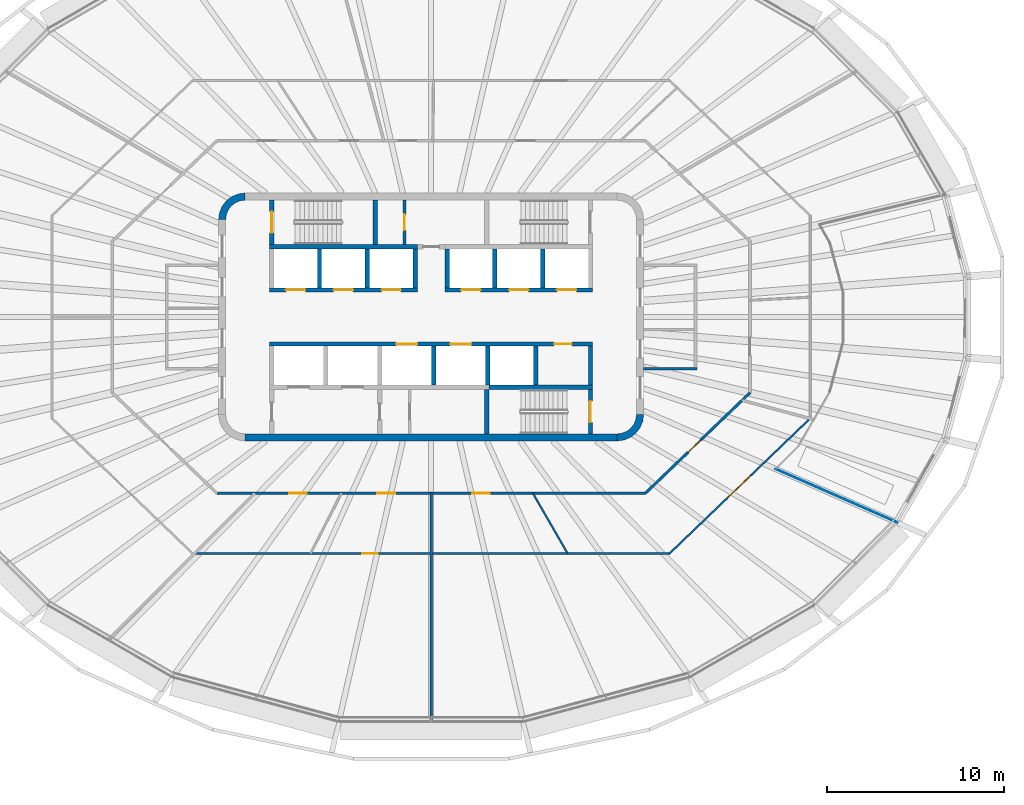
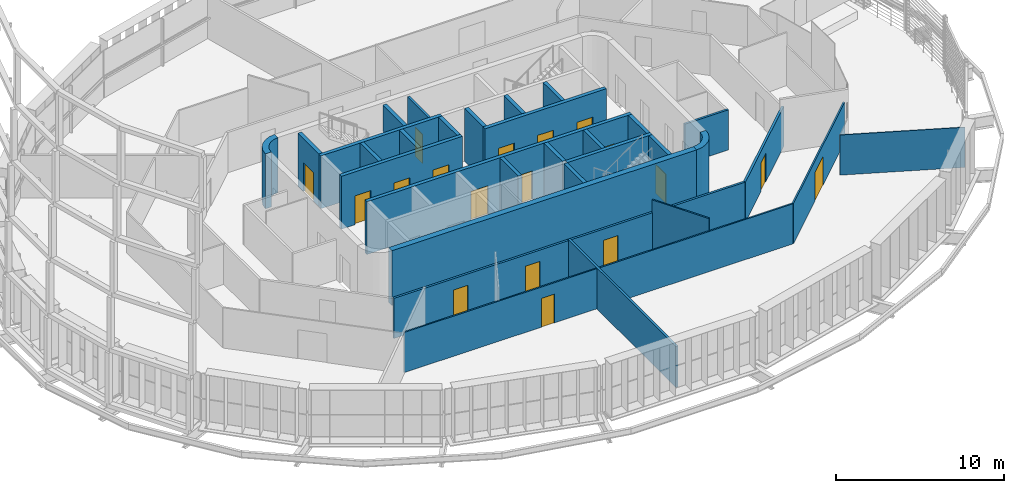
# One storey, part 10 of 21: 31 walls, 18 doors, 18 openings.
"""IFC4 building model written with IfcOpenShell, lengths in metres."""

from ifc_helpers import new_model, si_unit, direction, frame, frame_2d, origin, place, context, subcontext, project, spatial, polyline, rectangle, outline, extrude, material, layer, layer_set, type_object, element, fill, save


model = new_model("IFC4")

# Units and contexts
model_context = context("Model", 3, precision=1e-05, world=origin(), true_north=direction((0.0, 1.0)))
body_context = subcontext(model_context, "Body", "Model", "MODEL_VIEW")
ifc_project = project(units=[si_unit("LENGTHUNIT", "METRE"), si_unit("AREAUNIT", "SQUARE_METRE"), si_unit("VOLUMEUNIT", "CUBIC_METRE"), si_unit("PLANEANGLEUNIT", "RADIAN"), si_unit("MASSUNIT", "GRAM", prefix="KILO")], contexts=[model_context])

# Site, building, storey
site_placement = place(None, origin())
site = spatial("IfcSite", under=ifc_project, at=site_placement, CompositionType="ELEMENT")
building_placement = place(site_placement, origin())
building = spatial("IfcBuilding", under=site, at=building_placement, Name="Sahrelin Media Tower", CompositionType="ELEMENT")
storey_placement = place(building_placement, frame((0.0, 0.0, 259.0)))
storey = spatial("IfcBuildingStorey", under=building, at=storey_placement, Name="L56", CompositionType="ELEMENT", Elevation=259.0)

# Walls
ifc_material_1 = material(Name="Concrete C60/75", Category="concrete")
ifc_layer_1 = layer(ifc_material_1, 0.39990234375)
ifc_layer_set_1 = layer_set([ifc_layer_1], Name="Core wall 400")
wall_type_1 = type_object("IfcWallType", Name="Core wall 400", PredefinedType="SHEAR", material=ifc_layer_set_1)
wall_1_placement = place(storey_placement, frame((-10.5, -6.800048828125, 0.0), z_axis=(0.0, 0.0, 1.0), x_axis=(1.0, 0.0, 0.0)))
element("IfcWall", 1, at=wall_1_placement, inside=storey, type_object=wall_type_1, Name="Core wall S L56", PredefinedType="SHEAR", context=body_context, shape_type="SweptSolid", body=[
    extrude(rectangle(XDim=21.0, YDim=0.39990234375, at=frame_2d((10.5, 0.0))), origin(), (0.0, 0.0, 1.0), 4.0),
])
placement = place(storey_placement, origin())
element("IfcWall", 2, at=placement, inside=storey, type_object=wall_type_1, Name="Core wall corner NW L56", PredefinedType="SHEAR", context=body_context, shape_type="SweptSolid", body=[
    extrude(outline(polyline([(-12.0, 5.5), (-11.596435546875, 5.5), (-11.55908203125, 5.78369140625), (-11.44970703125, 6.04833984375), (-11.275390625, 6.275390625), (-11.04833984375, 6.44970703125), (-10.78369140625, 6.55908203125), (-10.5, 6.596435546875), (-10.5, 7.0), (-10.88818359375, 6.948974609375), (-11.25, 6.799072265625), (-11.560791015625, 6.560791015625), (-11.799072265625, 6.25), (-11.948974609375, 5.88818359375), (-12.0, 5.5)])), origin(), (0.0, 0.0, 1.0), 4.0),
])
element("IfcWall", 3, at=placement, inside=storey, type_object=wall_type_1, Name="Core wall corner SE L56", PredefinedType="SHEAR", context=body_context, shape_type="SweptSolid", body=[
    extrude(outline(polyline([(12.0, -5.5), (11.596435546875, -5.5), (11.55908203125, -5.78369140625), (11.44970703125, -6.04833984375), (11.275390625, -6.275390625), (11.04833984375, -6.44970703125), (10.78369140625, -6.55908203125), (10.5, -6.596435546875), (10.5, -7.0), (10.88818359375, -6.948974609375), (11.25, -6.799072265625), (11.560791015625, -6.560791015625), (11.799072265625, -6.25), (11.948974609375, -5.88818359375), (12.0, -5.5)])), origin(), (0.0, 0.0, 1.0), 4.0),
])

# Wall, opening, door
ifc_material_2 = material(Name="Fire-rated gypsum board partition")
ifc_layer_2 = layer(ifc_material_2, 0.14990234375)
ifc_layer_set_2 = layer_set([ifc_layer_2], Name="Fire-rated partition 150")
wall_type_2 = type_object("IfcWallType", Name="Fire-rated partition 150", PredefinedType="PARTITIONING", material=ifc_layer_set_2)
wall_4_placement = place(storey_placement, frame((-1.5, 4.10009765625, 0.0), z_axis=(0.0, 0.0, 1.0), x_axis=(0.0, 1.0, 0.0)))
wall_4 = element("IfcWall", 4, at=wall_4_placement, inside=storey, type_object=wall_type_2, Name="Core room fire partition", PredefinedType="PARTITIONING", context=body_context, shape_type="SweptSolid", body=[
    extrude(rectangle(XDim=2.5, YDim=0.14990234375, at=frame_2d((1.25, 0.0))), origin(), (0.0, 0.0, 1.0), 3.85009765625),
])
opening_1_placement = place(wall_4_placement, frame((0.800048828125, 0.0, 0.0)))
opening_1 = element("IfcOpeningElement", 5, at=opening_1_placement, cuts=wall_4, Name="Opening L56-D07", PredefinedType="OPENING", context=body_context, shape_type="SweptSolid", body=[
    extrude(rectangle(XDim=0.89990234375, YDim=2.10009765625, at=frame_2d((0.449951171875, 1.050048828125))), frame((0.0, 0.074951171875, 0.0), z_axis=(0.0, -1.0, 0.0), x_axis=(1.0, 0.0, 0.0)), (0.0, 0.0, 1.0), 0.14990234375),
])
ifc_material_3 = material(Name="Steel fire door leaf", Category="steel")
door_type_1 = type_object("IfcDoorType", Name="Fire door 900 x 2100 EI 60", OperationType="NOTDEFINED", PredefinedType="DOOR", material=ifc_material_3)
door_1_placement = place(opening_1_placement, origin())
door_1 = element("IfcDoor", 6, at=door_1_placement, inside=storey, type_object=door_type_1, Name="Core room door", OperationType="SINGLE_SWING_LEFT", OverallHeight=2.10009765625, OverallWidth=0.89990234375, PredefinedType="DOOR", context=body_context, shape_type="SweptSolid", body=[
    extrude(rectangle(XDim=0.89990234375, YDim=2.10009765625, at=frame_2d((0.449951171875, 1.050048828125))), frame((0.0, 0.02490234375, 0.0), z_axis=(0.0, -1.0, 0.0), x_axis=(1.0, 0.0, 0.0)), (0.0, 0.0, 1.0), 0.050048828125),
])
fill(opening_1, door_1)

# Wall
wall_5_placement = place(storey_placement, frame((12.0, -2.925048828125, 0.0), z_axis=(0.0, 0.0, 1.0), x_axis=(1.0, 0.0, 0.0)))
element("IfcWall", 7, at=wall_5_placement, inside=storey, type_object=wall_type_2, Name="Core room fire partition", PredefinedType="PARTITIONING", context=body_context, shape_type="SweptSolid", body=[
    extrude(rectangle(XDim=3.0, YDim=0.14990234375, at=frame_2d((1.5, 0.0))), origin(), (0.0, 0.0, 1.0), 2.918212890625),
])

# Wall, openings, doors
wall_6_placement = place(storey_placement, frame((-12.094970703125, -9.948974609375, 0.0), z_axis=(0.0, 0.0, 1.0), x_axis=(1.0, 0.0, 0.0)))
wall_6 = element("IfcWall", 8, at=wall_6_placement, inside=storey, type_object=wall_type_2, Name="Wall", PredefinedType="PARTITIONING", context=body_context, shape_type="SweptSolid", body=[
    extrude(rectangle(XDim=24.18994140625, YDim=0.14990234375, at=frame_2d((12.094970703125, 0.0))), origin(), (0.0, 0.0, 1.0), 2.927001953125),
])
opening_2_placement = place(wall_6_placement, frame((4.0859375, 0.0, 0.0)))
opening_2 = element("IfcOpeningElement", 9, at=opening_2_placement, cuts=wall_6, Name="Opening L56-D28", PredefinedType="OPENING", context=body_context, shape_type="SweptSolid", body=[
    extrude(rectangle(XDim=1.0, YDim=2.10009765625, at=frame_2d((0.5, 1.050048828125))), frame((0.0, 0.074951171875, 0.0), z_axis=(0.0, -1.0, 0.0), x_axis=(1.0, 0.0, 0.0)), (0.0, 0.0, 1.0), 0.14990234375),
])
opening_3_placement = place(wall_6_placement, frame((9.060546875, 0.0, 0.0)))
opening_3 = element("IfcOpeningElement", 10, at=opening_3_placement, cuts=wall_6, Name="Opening L56-D29", PredefinedType="OPENING", context=body_context, shape_type="SweptSolid", body=[
    extrude(rectangle(XDim=1.0, YDim=2.10009765625, at=frame_2d((0.5, 1.050048828125))), frame((0.0, 0.074951171875, 0.0), z_axis=(0.0, -1.0, 0.0), x_axis=(1.0, 0.0, 0.0)), (0.0, 0.0, 1.0), 0.14990234375),
])
opening_4_placement = place(wall_6_placement, frame((14.41650390625, 0.0, 0.0)))
opening_4 = element("IfcOpeningElement", 11, at=opening_4_placement, cuts=wall_6, Name="Opening L56-D31", PredefinedType="OPENING", context=body_context, shape_type="SweptSolid", body=[
    extrude(rectangle(XDim=1.0, YDim=2.10009765625, at=frame_2d((0.5, 1.050048828125))), frame((0.0, 0.074951171875, 0.0), z_axis=(0.0, -1.0, 0.0), x_axis=(1.0, 0.0, 0.0)), (0.0, 0.0, 1.0), 0.14990234375),
])
door_type_2 = type_object("IfcDoorType", Name="Fire door 1000 x 2100 EI 60", OperationType="NOTDEFINED", PredefinedType="DOOR", material=ifc_material_3)
door_2_placement = place(opening_2_placement, origin())
door_2 = element("IfcDoor", 12, at=door_2_placement, inside=storey, type_object=door_type_2, Name="Fire door", OperationType="SINGLE_SWING_RIGHT", OverallHeight=2.10009765625, OverallWidth=1.0, PredefinedType="DOOR", context=body_context, shape_type="SweptSolid", body=[
    extrude(rectangle(XDim=1.0, YDim=2.10009765625, at=frame_2d((0.5, 1.050048828125))), frame((0.0, 0.02490234375, 0.0), z_axis=(0.0, -1.0, 0.0), x_axis=(1.0, 0.0, 0.0)), (0.0, 0.0, 1.0), 0.050048828125),
])
fill(opening_2, door_2)
door_3_placement = place(opening_3_placement, origin())
door_3 = element("IfcDoor", 13, at=door_3_placement, inside=storey, type_object=door_type_2, Name="Fire door", OperationType="SINGLE_SWING_RIGHT", OverallHeight=2.10009765625, OverallWidth=1.0, PredefinedType="DOOR", context=body_context, shape_type="SweptSolid", body=[
    extrude(rectangle(XDim=1.0, YDim=2.10009765625, at=frame_2d((0.5, 1.050048828125))), frame((0.0, 0.02490234375, 0.0), z_axis=(0.0, -1.0, 0.0), x_axis=(1.0, 0.0, 0.0)), (0.0, 0.0, 1.0), 0.050048828125),
])
fill(opening_3, door_3)
door_4_placement = place(opening_4_placement, origin())
door_4 = element("IfcDoor", 14, at=door_4_placement, inside=storey, type_object=door_type_2, Name="Fire door", OperationType="SINGLE_SWING_RIGHT", OverallHeight=2.10009765625, OverallWidth=1.0, PredefinedType="DOOR", context=body_context, shape_type="SweptSolid", body=[
    extrude(rectangle(XDim=1.0, YDim=2.10009765625, at=frame_2d((0.5, 1.050048828125))), frame((0.0, 0.02490234375, 0.0), z_axis=(0.0, -1.0, 0.0), x_axis=(1.0, 0.0, 0.0)), (0.0, 0.0, 1.0), 0.050048828125),
])
fill(opening_4, door_4)

# Wall, opening, door
wall_7_placement = place(storey_placement, frame((12.094970703125, -9.948974609375, 0.0), z_axis=(0.0, 0.0, 1.0), x_axis=(0.721348586031, 0.692572174889, 0.0)))
wall_7 = element("IfcWall", 15, at=wall_7_placement, inside=storey, type_object=wall_type_2, Name="Wall", PredefinedType="PARTITIONING", context=body_context, shape_type="SweptSolid", body=[
    extrude(rectangle(XDim=8.18701171875, YDim=0.14990234375, at=frame_2d((4.093505859375, 0.0))), origin(), (0.0, 0.0, 1.0), 2.918212890625),
])
opening_5_placement = place(wall_7_placement, frame((3.333740234375, 0.0, 0.0)))
opening_5 = element("IfcOpeningElement", 16, at=opening_5_placement, cuts=wall_7, Name="Opening L56-D32", PredefinedType="OPENING", context=body_context, shape_type="SweptSolid", body=[
    extrude(rectangle(XDim=1.0, YDim=2.10009765625, at=frame_2d((0.5, 1.050048828125))), frame((0.0, 0.074951171875, 0.0), z_axis=(0.0, -1.0, 0.0), x_axis=(1.0, 0.0, 0.0)), (0.0, 0.0, 1.0), 0.14990234375),
])
door_5_placement = place(opening_5_placement, origin())
door_5 = element("IfcDoor", 17, at=door_5_placement, inside=storey, type_object=door_type_2, Name="Fire door", OperationType="SINGLE_SWING_RIGHT", OverallHeight=2.10009765625, OverallWidth=1.0, PredefinedType="DOOR", context=body_context, shape_type="SweptSolid", body=[
    extrude(rectangle(XDim=1.0, YDim=2.10009765625, at=frame_2d((0.5, 1.050048828125))), frame((0.0, 0.02490234375, 0.0), z_axis=(0.0, -1.0, 0.0), x_axis=(1.0, 0.0, 0.0)), (0.0, 0.0, 1.0), 0.050048828125),
])
fill(opening_5, door_5)

# Walls
wall_8_placement = place(storey_placement, frame((0.0, -22.85693359375, 0.0), z_axis=(0.0, 0.0, 1.0), x_axis=(0.0, 1.0, 0.0)))
element("IfcWall", 18, at=wall_8_placement, inside=storey, type_object=wall_type_2, Name="Wall", PredefinedType="PARTITIONING", context=body_context, shape_type="SweptSolid", body=[
    extrude(rectangle(XDim=12.907958984375, YDim=0.14990234375, at=frame_2d((6.4541015625, 0.0))), origin(), (0.0, 0.0, 1.0), 2.9951171875),
])
ifc_material_4 = material(Name="Clear glass", Category="glass")
ifc_layer_3 = layer(ifc_material_4, 0.050048828125)
ifc_layer_set_3 = layer_set([ifc_layer_3], Name="Glazed partition 50")
wall_type_3 = type_object("IfcWallType", Name="Glazed partition 50", PredefinedType="PARTITIONING", material=ifc_layer_set_3)
wall_9_placement = place(storey_placement, frame((19.452880859375, -8.5830078125, 0.0), z_axis=(0.0, 0.0, 1.0), x_axis=(0.914941111659, -0.40358736625, 0.0)))
element("IfcWall", 19, at=wall_9_placement, inside=storey, type_object=wall_type_3, Name="Wall", PredefinedType="PARTITIONING", context=body_context, shape_type="SweptSolid", body=[
    extrude(rectangle(XDim=7.5078125, YDim=0.050048828125, at=frame_2d((3.75390625, 0.0))), origin(), (0.0, 0.0, 1.0), 2.927001953125),
])

# Wall, openings, doors
ifc_layer_4 = layer(ifc_material_1, 0.25)
ifc_layer_set_4 = layer_set([ifc_layer_4], Name="Lift shaft wall 250")
wall_type_4 = type_object("IfcWallType", Name="Lift shaft wall 250", PredefinedType="SOLIDWALL", material=ifc_layer_set_4)
wall_10_placement = place(storey_placement, frame((-9.125, 1.52490234375, 0.0), z_axis=(0.0, 0.0, 1.0), x_axis=(1.0, 0.0, 0.0)))
wall_10 = element("IfcWall", 20, at=wall_10_placement, inside=storey, type_object=wall_type_4, Name="Lift shaft wall", PredefinedType="SOLIDWALL", context=body_context, shape_type="SweptSolid", body=[
    extrude(rectangle(XDim=8.35009765625, YDim=0.25, at=frame_2d((4.175048828125, 0.0))), origin(), (0.0, 0.0, 1.0), 3.85009765625),
])
opening_6_placement = place(wall_10_placement, frame((0.925048828125, 0.0, 0.0)))
opening_6 = element("IfcOpeningElement", 21, at=opening_6_placement, cuts=wall_10, Name="Opening L56-LD-HR1", PredefinedType="OPENING", context=body_context, shape_type="SweptSolid", body=[
    extrude(rectangle(XDim=1.10009765625, YDim=2.10009765625, at=frame_2d((0.550048828125, 1.050048828125))), frame((0.0, 0.125, 0.0), z_axis=(0.0, -1.0, 0.0), x_axis=(1.0, 0.0, 0.0)), (0.0, 0.0, 1.0), 0.25),
])
opening_7_placement = place(wall_10_placement, frame((3.625, 0.0, 0.0)))
opening_7 = element("IfcOpeningElement", 22, at=opening_7_placement, cuts=wall_10, Name="Opening L56-LD-HR2", PredefinedType="OPENING", context=body_context, shape_type="SweptSolid", body=[
    extrude(rectangle(XDim=1.10009765625, YDim=2.10009765625, at=frame_2d((0.550048828125, 1.050048828125))), frame((0.0, 0.125, 0.0), z_axis=(0.0, -1.0, 0.0), x_axis=(1.0, 0.0, 0.0)), (0.0, 0.0, 1.0), 0.25),
])
opening_8_placement = place(wall_10_placement, frame((6.324951171875, 0.0, 0.0)))
opening_8 = element("IfcOpeningElement", 23, at=opening_8_placement, cuts=wall_10, Name="Opening L56-LD-HR3", PredefinedType="OPENING", context=body_context, shape_type="SweptSolid", body=[
    extrude(rectangle(XDim=1.10009765625, YDim=2.10009765625, at=frame_2d((0.550048828125, 1.050048828125))), frame((0.0, 0.125, 0.0), z_axis=(0.0, -1.0, 0.0), x_axis=(1.0, 0.0, 0.0)), (0.0, 0.0, 1.0), 0.25),
])
ifc_material_5 = material(Name="Stainless steel", Category="steel")
door_type_3 = type_object("IfcDoorType", Name="Lift landing door 1100 x 2100 EI 120", OperationType="DOUBLE_DOOR_SLIDING", PredefinedType="DOOR", material=ifc_material_5)
door_6_placement = place(opening_6_placement, origin())
door_6 = element("IfcDoor", 24, at=door_6_placement, inside=storey, type_object=door_type_3, Name="Lift landing door HR1", OperationType="DOUBLE_DOOR_SLIDING", OverallHeight=2.10009765625, OverallWidth=1.10009765625, PredefinedType="DOOR", context=body_context, shape_type="SweptSolid", body=[
    extrude(rectangle(XDim=1.10009765625, YDim=2.10009765625, at=frame_2d((0.550048828125, 1.050048828125))), frame((0.0, 0.02490234375, 0.0), z_axis=(0.0, -1.0, 0.0), x_axis=(1.0, 0.0, 0.0)), (0.0, 0.0, 1.0), 0.050048828125),
])
fill(opening_6, door_6)
door_7_placement = place(opening_7_placement, origin())
door_7 = element("IfcDoor", 25, at=door_7_placement, inside=storey, type_object=door_type_3, Name="Lift landing door HR2", OperationType="DOUBLE_DOOR_SLIDING", OverallHeight=2.10009765625, OverallWidth=1.10009765625, PredefinedType="DOOR", context=body_context, shape_type="SweptSolid", body=[
    extrude(rectangle(XDim=1.10009765625, YDim=2.10009765625, at=frame_2d((0.550048828125, 1.050048828125))), frame((0.0, 0.02490234375, 0.0), z_axis=(0.0, -1.0, 0.0), x_axis=(1.0, 0.0, 0.0)), (0.0, 0.0, 1.0), 0.050048828125),
])
fill(opening_7, door_7)
door_8_placement = place(opening_8_placement, origin())
door_8 = element("IfcDoor", 26, at=door_8_placement, inside=storey, type_object=door_type_3, Name="Lift landing door HR3", OperationType="DOUBLE_DOOR_SLIDING", OverallHeight=2.10009765625, OverallWidth=1.10009765625, PredefinedType="DOOR", context=body_context, shape_type="SweptSolid", body=[
    extrude(rectangle(XDim=1.10009765625, YDim=2.10009765625, at=frame_2d((0.550048828125, 1.050048828125))), frame((0.0, 0.02490234375, 0.0), z_axis=(0.0, -1.0, 0.0), x_axis=(1.0, 0.0, 0.0)), (0.0, 0.0, 1.0), 0.050048828125),
])
fill(opening_8, door_8)

wall_11_placement = place(storey_placement, frame((0.77490234375, 1.52490234375, 0.0), z_axis=(0.0, 0.0, 1.0), x_axis=(1.0, 0.0, 0.0)))
wall_11 = element("IfcWall", 27, at=wall_11_placement, inside=storey, type_object=wall_type_4, Name="Lift shaft wall", PredefinedType="SOLIDWALL", context=body_context, shape_type="SweptSolid", body=[
    extrude(rectangle(XDim=8.35009765625, YDim=0.25, at=frame_2d((4.175048828125, 0.0))), origin(), (0.0, 0.0, 1.0), 3.85009765625),
])
opening_9_placement = place(wall_11_placement, frame((0.925048828125, 0.0, 0.0)))
opening_9 = element("IfcOpeningElement", 28, at=opening_9_placement, cuts=wall_11, Name="Opening L56-LD-HR4", PredefinedType="OPENING", context=body_context, shape_type="SweptSolid", body=[
    extrude(rectangle(XDim=1.10009765625, YDim=2.10009765625, at=frame_2d((0.550048828125, 1.050048828125))), frame((0.0, 0.125, 0.0), z_axis=(0.0, -1.0, 0.0), x_axis=(1.0, 0.0, 0.0)), (0.0, 0.0, 1.0), 0.25),
])
opening_10_placement = place(wall_11_placement, frame((3.625, 0.0, 0.0)))
opening_10 = element("IfcOpeningElement", 29, at=opening_10_placement, cuts=wall_11, Name="Opening L56-LD-HR5", PredefinedType="OPENING", context=body_context, shape_type="SweptSolid", body=[
    extrude(rectangle(XDim=1.10009765625, YDim=2.10009765625, at=frame_2d((0.550048828125, 1.050048828125))), frame((0.0, 0.125, 0.0), z_axis=(0.0, -1.0, 0.0), x_axis=(1.0, 0.0, 0.0)), (0.0, 0.0, 1.0), 0.25),
])
opening_11_placement = place(wall_11_placement, frame((6.324951171875, 0.0, 0.0)))
opening_11 = element("IfcOpeningElement", 30, at=opening_11_placement, cuts=wall_11, Name="Opening L56-LD-HR6", PredefinedType="OPENING", context=body_context, shape_type="SweptSolid", body=[
    extrude(rectangle(XDim=1.10009765625, YDim=2.10009765625, at=frame_2d((0.550048828125, 1.050048828125))), frame((0.0, 0.125, 0.0), z_axis=(0.0, -1.0, 0.0), x_axis=(1.0, 0.0, 0.0)), (0.0, 0.0, 1.0), 0.25),
])
door_9_placement = place(opening_9_placement, origin())
door_9 = element("IfcDoor", 31, at=door_9_placement, inside=storey, type_object=door_type_3, Name="Lift landing door HR4", OperationType="DOUBLE_DOOR_SLIDING", OverallHeight=2.10009765625, OverallWidth=1.10009765625, PredefinedType="DOOR", context=body_context, shape_type="SweptSolid", body=[
    extrude(rectangle(XDim=1.10009765625, YDim=2.10009765625, at=frame_2d((0.550048828125, 1.050048828125))), frame((0.0, 0.02490234375, 0.0), z_axis=(0.0, -1.0, 0.0), x_axis=(1.0, 0.0, 0.0)), (0.0, 0.0, 1.0), 0.050048828125),
])
fill(opening_9, door_9)
door_10_placement = place(opening_10_placement, origin())
door_10 = element("IfcDoor", 32, at=door_10_placement, inside=storey, type_object=door_type_3, Name="Lift landing door HR5", OperationType="DOUBLE_DOOR_SLIDING", OverallHeight=2.10009765625, OverallWidth=1.10009765625, PredefinedType="DOOR", context=body_context, shape_type="SweptSolid", body=[
    extrude(rectangle(XDim=1.10009765625, YDim=2.10009765625, at=frame_2d((0.550048828125, 1.050048828125))), frame((0.0, 0.02490234375, 0.0), z_axis=(0.0, -1.0, 0.0), x_axis=(1.0, 0.0, 0.0)), (0.0, 0.0, 1.0), 0.050048828125),
])
fill(opening_10, door_10)
door_11_placement = place(opening_11_placement, origin())
door_11 = element("IfcDoor", 33, at=door_11_placement, inside=storey, type_object=door_type_3, Name="Lift landing door HR6", OperationType="DOUBLE_DOOR_SLIDING", OverallHeight=2.10009765625, OverallWidth=1.10009765625, PredefinedType="DOOR", context=body_context, shape_type="SweptSolid", body=[
    extrude(rectangle(XDim=1.10009765625, YDim=2.10009765625, at=frame_2d((0.550048828125, 1.050048828125))), frame((0.0, 0.02490234375, 0.0), z_axis=(0.0, -1.0, 0.0), x_axis=(1.0, 0.0, 0.0)), (0.0, 0.0, 1.0), 0.050048828125),
])
fill(opening_11, door_11)

# Walls
wall_12_placement = place(storey_placement, frame((-9.125, 3.97509765625, 0.0), z_axis=(0.0, 0.0, 1.0), x_axis=(1.0, 0.0, 0.0)))
element("IfcWall", 34, at=wall_12_placement, inside=storey, type_object=wall_type_4, Name="Lift shaft wall", PredefinedType="SOLIDWALL", context=body_context, shape_type="SweptSolid", body=[
    extrude(rectangle(XDim=8.35009765625, YDim=0.25, at=frame_2d((4.175048828125, 0.0))), origin(), (0.0, 0.0, 1.0), 3.85009765625),
])
for number, where, z_axis, x_axis, name in (
    (35, (-6.300048828125, 1.64990234375, 0.0), (0.0, 0.0, 1.0), (0.0, 1.0, 0.0), "Lift shaft wall"),
    (36, (6.300048828125, 1.64990234375, 0.0), (0.0, 0.0, 1.0), (0.0, 1.0, 0.0), "Lift shaft wall"),
    (37, (-3.60009765625, 1.64990234375, 0.0), (0.0, 0.0, 1.0), (0.0, 1.0, 0.0), "Lift shaft wall"),
    (38, (3.60009765625, 1.64990234375, 0.0), (0.0, 0.0, 1.0), (0.0, 1.0, 0.0), "Lift shaft wall"),
    (39, (-0.89990234375, 1.64990234375, 0.0), (0.0, 0.0, 1.0), (0.0, 1.0, 0.0), "Lift shaft wall"),
    (40, (0.89990234375, 1.64990234375, 0.0), (0.0, 0.0, 1.0), (0.0, 1.0, 0.0), "Lift shaft wall"),
):
    element("IfcWall", number, at=place(storey_placement, frame(where, z_axis=z_axis, x_axis=x_axis)), inside=storey, type_object=wall_type_4, Name=name, PredefinedType="SOLIDWALL", context=body_context, shape_type="SweptSolid", body=[
        extrude(rectangle(XDim=2.2001953125, YDim=0.25, at=frame_2d((1.10009765625, 0.0))), origin(), (0.0, 0.0, 1.0), 3.85009765625),
    ])

# Wall, openings, doors
wall_13_placement = place(storey_placement, frame((-9.125, -1.52490234375, 0.0), z_axis=(0.0, 0.0, 1.0), x_axis=(1.0, 0.0, 0.0)))
wall_13 = element("IfcWall", 41, at=wall_13_placement, inside=storey, type_object=wall_type_4, Name="Lift shaft wall", PredefinedType="SOLIDWALL", context=body_context, shape_type="SweptSolid", body=[
    extrude(rectangle(XDim=18.25, YDim=0.25, at=frame_2d((9.125, 0.0))), origin(), (0.0, 0.0, 1.0), 3.85009765625),
])
opening_12_placement = place(wall_13_placement, frame((7.14990234375, 0.0, 0.0)))
opening_12 = element("IfcOpeningElement", 42, at=opening_12_placement, cuts=wall_13, Name="Opening L56-LD-SV1", PredefinedType="OPENING", context=body_context, shape_type="SweptSolid", body=[
    extrude(rectangle(XDim=1.199951171875, YDim=2.10009765625, at=frame_2d((0.60009765625, 1.050048828125))), frame((0.0, 0.125, 0.0), z_axis=(0.0, -1.0, 0.0), x_axis=(1.0, 0.0, 0.0)), (0.0, 0.0, 1.0), 0.25),
])
opening_13_placement = place(wall_13_placement, frame((10.199951171875, 0.0, 0.0)))
opening_13 = element("IfcOpeningElement", 43, at=opening_13_placement, cuts=wall_13, Name="Opening L56-LD-SV2", PredefinedType="OPENING", context=body_context, shape_type="SweptSolid", body=[
    extrude(rectangle(XDim=1.199951171875, YDim=2.10009765625, at=frame_2d((0.60009765625, 1.050048828125))), frame((0.0, 0.125, 0.0), z_axis=(0.0, -1.0, 0.0), x_axis=(1.0, 0.0, 0.0)), (0.0, 0.0, 1.0), 0.25),
])
opening_14_placement = place(wall_13_placement, frame((16.074951171875, 0.0, 0.0)))
opening_14 = element("IfcOpeningElement", 44, at=opening_14_placement, cuts=wall_13, Name="Opening L56-D09", PredefinedType="OPENING", context=body_context, shape_type="SweptSolid", body=[
    extrude(rectangle(XDim=1.0, YDim=2.10009765625, at=frame_2d((0.5, 1.050048828125))), frame((0.0, 0.125, 0.0), z_axis=(0.0, -1.0, 0.0), x_axis=(1.0, 0.0, 0.0)), (0.0, 0.0, 1.0), 0.25),
])
door_12_placement = place(opening_14_placement, origin())
door_12 = element("IfcDoor", 45, at=door_12_placement, inside=storey, type_object=door_type_2, Name="Core room door", OperationType="SINGLE_SWING_RIGHT", OverallHeight=2.10009765625, OverallWidth=1.0, PredefinedType="DOOR", context=body_context, shape_type="SweptSolid", body=[
    extrude(rectangle(XDim=1.0, YDim=2.10009765625, at=frame_2d((0.5, 1.050048828125))), frame((0.0, 0.02490234375, 0.0), z_axis=(0.0, -1.0, 0.0), x_axis=(1.0, 0.0, 0.0)), (0.0, 0.0, 1.0), 0.050048828125),
])
fill(opening_14, door_12)
door_type_4 = type_object("IfcDoorType", Name="Lift landing door 1200 x 2100 EI 120", OperationType="DOUBLE_DOOR_SLIDING", PredefinedType="DOOR", material=ifc_material_5)
door_13_placement = place(opening_12_placement, origin())
door_13 = element("IfcDoor", 46, at=door_13_placement, inside=storey, type_object=door_type_4, Name="Lift landing door SV1", OperationType="DOUBLE_DOOR_SLIDING", OverallHeight=2.10009765625, OverallWidth=1.199951171875, PredefinedType="DOOR", context=body_context, shape_type="SweptSolid", body=[
    extrude(rectangle(XDim=1.199951171875, YDim=2.10009765625, at=frame_2d((0.60009765625, 1.050048828125))), frame((0.0, 0.02490234375, 0.0), z_axis=(0.0, -1.0, 0.0), x_axis=(1.0, 0.0, 0.0)), (0.0, 0.0, 1.0), 0.050048828125),
])
fill(opening_12, door_13)
door_14_placement = place(opening_13_placement, origin())
door_14 = element("IfcDoor", 47, at=door_14_placement, inside=storey, type_object=door_type_4, Name="Lift landing door SV2", OperationType="DOUBLE_DOOR_SLIDING", OverallHeight=2.10009765625, OverallWidth=1.199951171875, PredefinedType="DOOR", context=body_context, shape_type="SweptSolid", body=[
    extrude(rectangle(XDim=1.199951171875, YDim=2.10009765625, at=frame_2d((0.60009765625, 1.050048828125))), frame((0.0, 0.02490234375, 0.0), z_axis=(0.0, -1.0, 0.0), x_axis=(1.0, 0.0, 0.0)), (0.0, 0.0, 1.0), 0.050048828125),
])
fill(opening_13, door_14)

# Walls
wall_14_placement = place(storey_placement, frame((3.27490234375, -3.97509765625, 0.0), z_axis=(0.0, 0.0, 1.0), x_axis=(1.0, 0.0, 0.0)))
element("IfcWall", 48, at=wall_14_placement, inside=storey, type_object=wall_type_4, Name="Lift shaft wall", PredefinedType="SOLIDWALL", context=body_context, shape_type="SweptSolid", body=[
    extrude(rectangle(XDim=5.85009765625, YDim=0.25, at=frame_2d((2.925048828125, 0.0))), origin(), (0.0, 0.0, 1.0), 3.85009765625),
])
for number, where, z_axis, x_axis, name in (
    (49, (0.14990234375, -3.85009765625, 0.0), (0.0, 0.0, 1.0), (0.0, 1.0, 0.0), "Lift shaft wall"),
    (50, (3.199951171875, -3.85009765625, 0.0), (0.0, 0.0, 1.0), (0.0, 1.0, 0.0), "Lift shaft wall"),
    (51, (5.89990234375, -3.85009765625, 0.0), (0.0, 0.0, 1.0), (0.0, 1.0, 0.0), "Lift shaft wall"),
    (52, (9.0, -3.85009765625, 0.0), (0.0, 0.0, 1.0), (0.0, 1.0, 0.0), "Lift shaft wall"),
):
    element("IfcWall", number, at=place(storey_placement, frame(where, z_axis=z_axis, x_axis=x_axis)), inside=storey, type_object=wall_type_4, Name=name, PredefinedType="SOLIDWALL", context=body_context, shape_type="SweptSolid", body=[
        extrude(rectangle(XDim=2.2001953125, YDim=0.25, at=frame_2d((1.10009765625, 0.0))), origin(), (0.0, 0.0, 1.0), 3.85009765625),
    ])
ifc_material_6 = material(Name="Gypsum board partition")
ifc_layer_5 = layer(ifc_material_6, 0.10009765625)
ifc_layer_set_5 = layer_set([ifc_layer_5], Name="Partition 100")
wall_type_5 = type_object("IfcWallType", Name="Partition 100", PredefinedType="PARTITIONING", material=ifc_layer_set_5)
wall_15_placement = place(storey_placement, frame((5.743896484375, -9.948974609375, 0.0), z_axis=(0.0, 0.0, 1.0), x_axis=(0.500011323479, -0.866018866072, 0.0)))
element("IfcWall", 53, at=wall_15_placement, inside=storey, type_object=wall_type_5, Name="Wall", PredefinedType="PARTITIONING", context=body_context, shape_type="SweptSolid", body=[
    extrude(rectangle(XDim=3.92626953125, YDim=0.10009765625, at=frame_2d((1.963134765625, 0.0))), origin(), (0.0, 0.0, 1.0), 3.85009765625),
])

# Wall, opening, door
wall_16_placement = place(storey_placement, frame((-13.34912109375, -13.34912109375, 0.0), z_axis=(0.0, 0.0, 1.0), x_axis=(1.0, 0.0, 0.0)))
wall_16 = element("IfcWall", 54, at=wall_16_placement, inside=storey, type_object=wall_type_5, Name="Wall", PredefinedType="PARTITIONING", context=body_context, shape_type="SweptSolid", body=[
    extrude(rectangle(XDim=26.81201171875, YDim=0.10009765625, at=frame_2d((13.406005859375, 0.0))), origin(), (0.0, 0.0, 1.0), 2.927001953125),
])
opening_15_placement = place(wall_16_placement, frame((9.447998046875, 0.0, 0.0)))
opening_15 = element("IfcOpeningElement", 55, at=opening_15_placement, cuts=wall_16, Name="Opening L56-D30", PredefinedType="OPENING", context=body_context, shape_type="SweptSolid", body=[
    extrude(rectangle(XDim=0.89990234375, YDim=2.10009765625, at=frame_2d((0.449951171875, 1.050048828125))), frame((0.0, 0.050048828125, 0.0), z_axis=(0.0, -1.0, 0.0), x_axis=(1.0, 0.0, 0.0)), (0.0, 0.0, 1.0), 0.10009765625),
])
ifc_material_7 = material(Name="Timber door leaf", Category="wood")
door_type_5 = type_object("IfcDoorType", Name="Single door 900 x 2100", OperationType="NOTDEFINED", PredefinedType="DOOR", material=ifc_material_7)
door_15_placement = place(opening_15_placement, origin())
door_15 = element("IfcDoor", 56, at=door_15_placement, inside=storey, type_object=door_type_5, Name="Single door", OperationType="SINGLE_SWING_LEFT", OverallHeight=2.10009765625, OverallWidth=0.89990234375, PredefinedType="DOOR", context=body_context, shape_type="SweptSolid", body=[
    extrude(rectangle(XDim=0.89990234375, YDim=2.10009765625, at=frame_2d((0.449951171875, 1.050048828125))), frame((0.0, 0.02490234375, 0.0), z_axis=(0.0, -1.0, 0.0), x_axis=(1.0, 0.0, 0.0)), (0.0, 0.0, 1.0), 0.050048828125),
])
fill(opening_15, door_15)

wall_17_placement = place(storey_placement, frame((13.462890625, -13.34912109375, 0.0), z_axis=(0.0, 0.0, 1.0), x_axis=(0.721271070112, 0.692652902556, 0.0)))
wall_17 = element("IfcWall", 57, at=wall_17_placement, inside=storey, type_object=wall_type_5, Name="Wall", PredefinedType="PARTITIONING", context=body_context, shape_type="SweptSolid", body=[
    extrude(rectangle(XDim=10.996337890625, YDim=0.10009765625, at=frame_2d((5.498046875, 0.0))), origin(), (0.0, 0.0, 1.0), 2.927001953125),
])
opening_16_placement = place(wall_17_placement, frame((4.546875, 0.0, 0.0)))
opening_16 = element("IfcOpeningElement", 58, at=opening_16_placement, cuts=wall_17, Name="Opening L56-D33", PredefinedType="OPENING", context=body_context, shape_type="SweptSolid", body=[
    extrude(rectangle(XDim=1.800048828125, YDim=2.10009765625, at=frame_2d((0.89990234375, 1.050048828125))), frame((0.0, 0.050048828125, 0.0), z_axis=(0.0, -1.0, 0.0), x_axis=(1.0, 0.0, 0.0)), (0.0, 0.0, 1.0), 0.10009765625),
])
door_type_6 = type_object("IfcDoorType", Name="Double door 1800 x 2100", OperationType="DOUBLE_DOOR_SINGLE_SWING", PredefinedType="DOOR", material=ifc_material_7)
door_16_placement = place(opening_16_placement, origin())
door_16 = element("IfcDoor", 59, at=door_16_placement, inside=storey, type_object=door_type_6, Name="Double door", OperationType="DOUBLE_DOOR_SINGLE_SWING", OverallHeight=2.10009765625, OverallWidth=1.800048828125, PredefinedType="DOOR", context=body_context, shape_type="SweptSolid", body=[
    extrude(rectangle(XDim=1.800048828125, YDim=2.10009765625, at=frame_2d((0.89990234375, 1.050048828125))), frame((0.0, 0.02490234375, 0.0), z_axis=(0.0, -1.0, 0.0), x_axis=(1.0, 0.0, 0.0)), (0.0, 0.0, 1.0), 0.050048828125),
])
fill(opening_16, door_16)

ifc_layer_6 = layer(ifc_material_1, 0.25)
ifc_layer_set_6 = layer_set([ifc_layer_6], Name="Stair enclosure wall 250")
wall_type_6 = type_object("IfcWallType", Name="Stair enclosure wall 250", PredefinedType="SOLIDWALL", material=ifc_layer_set_6)
wall_18_placement = place(storey_placement, frame((-9.0, 4.10009765625, 0.0), z_axis=(0.0, 0.0, 1.0), x_axis=(0.0, 1.0, 0.0)))
wall_18 = element("IfcWall", 60, at=wall_18_placement, inside=storey, type_object=wall_type_6, Name="Stair enclosure wall", PredefinedType="SOLIDWALL", context=body_context, shape_type="SweptSolid", body=[
    extrude(rectangle(XDim=2.5, YDim=0.25, at=frame_2d((1.25, 0.0))), origin(), (0.0, 0.0, 1.0), 3.85009765625),
])
opening_17_placement = place(wall_18_placement, frame((0.64990234375, 0.0, 0.0)))
opening_17 = element("IfcOpeningElement", 61, at=opening_17_placement, cuts=wall_18, Name="Opening L56-D01", PredefinedType="OPENING", context=body_context, shape_type="SweptSolid", body=[
    extrude(rectangle(XDim=1.199951171875, YDim=2.10009765625, at=frame_2d((0.60009765625, 1.050048828125))), frame((0.0, 0.125, 0.0), z_axis=(0.0, -1.0, 0.0), x_axis=(1.0, 0.0, 0.0)), (0.0, 0.0, 1.0), 0.25),
])
door_type_7 = type_object("IfcDoorType", Name="Stair door 1200 x 2100 EI 120", OperationType="NOTDEFINED", PredefinedType="DOOR", material=ifc_material_3)
door_17_placement = place(opening_17_placement, origin())
door_17 = element("IfcDoor", 62, at=door_17_placement, inside=storey, type_object=door_type_7, Name="Stair door ST1", OperationType="SINGLE_SWING_RIGHT", OverallHeight=2.10009765625, OverallWidth=1.199951171875, PredefinedType="DOOR", context=body_context, shape_type="SweptSolid", body=[
    extrude(rectangle(XDim=1.199951171875, YDim=2.10009765625, at=frame_2d((0.60009765625, 1.050048828125))), frame((0.0, 0.02490234375, 0.0), z_axis=(0.0, -1.0, 0.0), x_axis=(1.0, 0.0, 0.0)), (0.0, 0.0, 1.0), 0.050048828125),
])
fill(opening_17, door_17)

wall_19_placement = place(storey_placement, frame((9.0, -6.60009765625, 0.0), z_axis=(0.0, 0.0, 1.0), x_axis=(0.0, 1.0, 0.0)))
wall_19 = element("IfcWall", 63, at=wall_19_placement, inside=storey, type_object=wall_type_6, Name="Stair enclosure wall", PredefinedType="SOLIDWALL", context=body_context, shape_type="SweptSolid", body=[
    extrude(rectangle(XDim=2.5, YDim=0.25, at=frame_2d((1.25, 0.0))), origin(), (0.0, 0.0, 1.0), 3.85009765625),
])
opening_18_placement = place(wall_19_placement, frame((0.64990234375, 0.0, 0.0)))
opening_18 = element("IfcOpeningElement", 64, at=opening_18_placement, cuts=wall_19, Name="Opening L56-D03", PredefinedType="OPENING", context=body_context, shape_type="SweptSolid", body=[
    extrude(rectangle(XDim=1.199951171875, YDim=2.10009765625, at=frame_2d((0.60009765625, 1.050048828125))), frame((0.0, 0.125, 0.0), z_axis=(0.0, -1.0, 0.0), x_axis=(1.0, 0.0, 0.0)), (0.0, 0.0, 1.0), 0.25),
])
door_18_placement = place(opening_18_placement, origin())
door_18 = element("IfcDoor", 65, at=door_18_placement, inside=storey, type_object=door_type_7, Name="Stair door ST2", OperationType="SINGLE_SWING_LEFT", OverallHeight=2.10009765625, OverallWidth=1.199951171875, PredefinedType="DOOR", context=body_context, shape_type="SweptSolid", body=[
    extrude(rectangle(XDim=1.199951171875, YDim=2.10009765625, at=frame_2d((0.60009765625, 1.050048828125))), frame((0.0, 0.02490234375, 0.0), z_axis=(0.0, -1.0, 0.0), x_axis=(1.0, 0.0, 0.0)), (0.0, 0.0, 1.0), 0.050048828125),
])
fill(opening_18, door_18)

# Walls
for number, where, z_axis, x_axis, name in (
    (66, (-3.14990234375, 4.10009765625, 0.0), (0.0, 0.0, 1.0), (0.0, 1.0, 0.0), "Stair enclosure wall"),
    (67, (3.14990234375, -6.60009765625, 0.0), (0.0, 0.0, 1.0), (0.0, 1.0, 0.0), "Stair enclosure wall"),
):
    element("IfcWall", number, at=place(storey_placement, frame(where, z_axis=z_axis, x_axis=x_axis)), inside=storey, type_object=wall_type_6, Name=name, PredefinedType="SOLIDWALL", context=body_context, shape_type="SweptSolid", body=[
        extrude(rectangle(XDim=2.5, YDim=0.25, at=frame_2d((1.25, 0.0))), origin(), (0.0, 0.0, 1.0), 3.85009765625),
    ])

save(model, "model.ifc")
